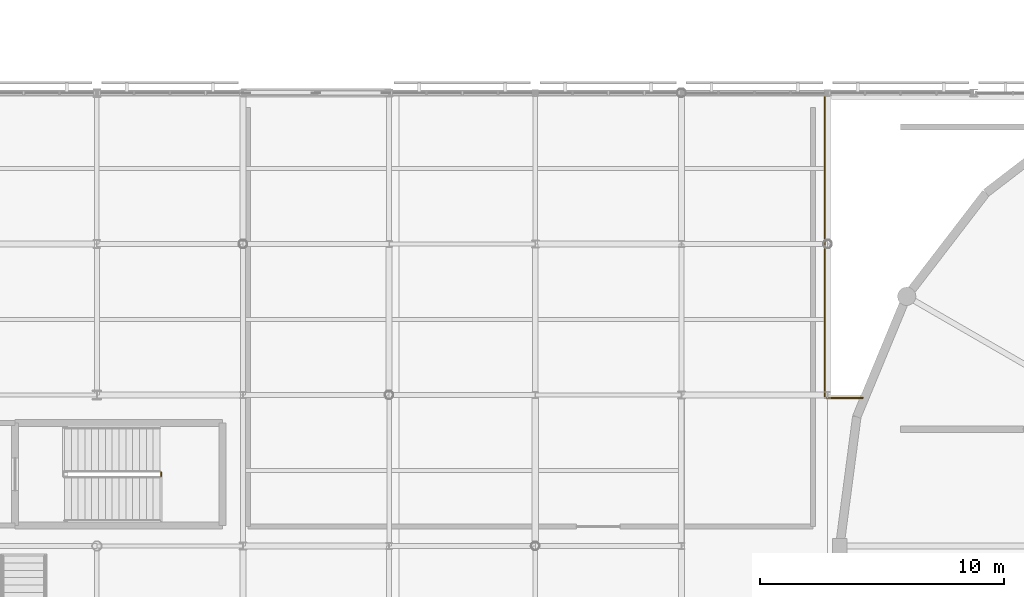
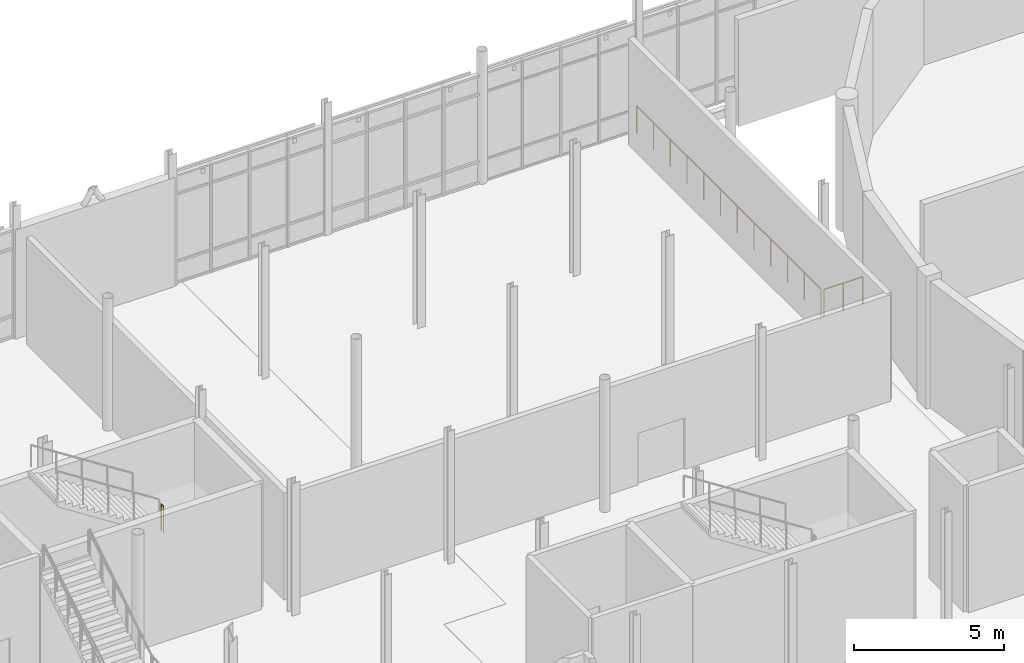
# One storey, part 97 of 105: 3 railings.
"""IFC4 building model written with IfcOpenShell, lengths in metres."""

from ifc_helpers import new_model, si_unit, direction, frame, origin, origin_2d, place, context, subcontext, project, spatial, circle, extrude, material, type_object, element, save


model = new_model("IFC4")

# Units and contexts
model_context = context("Model", 3, precision=1e-05, world=origin(), true_north=direction((0.0, 1.0)))
body_context = subcontext(model_context, "Body", "Model", "MODEL_VIEW")
ifc_project = project(units=[si_unit("LENGTHUNIT", "METRE"), si_unit("AREAUNIT", "SQUARE_METRE"), si_unit("VOLUMEUNIT", "CUBIC_METRE"), si_unit("PLANEANGLEUNIT", "RADIAN"), si_unit("MASSUNIT", "GRAM", prefix="KILO")], contexts=[model_context])

# Site, building, storey
site_placement = place(None, origin())
site = spatial("IfcSite", under=ifc_project, at=site_placement, CompositionType="ELEMENT")
building_placement = place(site_placement, origin())
building = spatial("IfcBuilding", under=site, at=building_placement, Name="Mirzam Square Science Centre", CompositionType="ELEMENT")
storey_placement = place(building_placement, frame((0.0, 0.0, 5.39990234375)))
storey = spatial("IfcBuildingStorey", under=building, at=storey_placement, Name="L01", CompositionType="ELEMENT", Elevation=5.39990234375)

# Railings
ifc_material = material(Name="Bronze-Anodised Architectural Balustrade", Category="aluminium")
railing_type_1 = type_object("IfcRailingType", Name="RL-INT-GUARD-1100", PredefinedType="GUARDRAIL", material=ifc_material)
railing_1_placement = place(storey_placement, frame((32.639892578125, 64.8701171875, 2.7001953125)))
element("IfcRailing", 1, at=railing_1_placement, inside=storey, type_object=railing_type_1, Name="L01 ST-02 stair guard 2", PredefinedType="GUARDRAIL", context=body_context, shape_type="SweptSolid", body=[
    extrude(circle(Radius=0.02392578125, at=origin_2d()), frame((0.0, 0.0, 1.076171875), z_axis=(0.0, 1.0, 0.0), x_axis=(-1.0, 0.0, 0.0)), (0.0, 0.0, 1.0), 0.14990234375),
    extrude(circle(Radius=0.02099609375, at=origin_2d()), origin(), (0.0, 0.0, 1.0), 1.052001953125),
    extrude(circle(Radius=0.02099609375, at=origin_2d()), frame((0.0, 0.14990234375, 0.0)), (0.0, 0.0, 1.0), 1.052001953125),
])
railing_type_2 = type_object("IfcRailingType", Name="RL-TERR-GUARD-1100", PredefinedType="GUARDRAIL", material=ifc_material)
railing_2_placement = place(storey_placement, frame((59.8798828125, 68.14990234375, 0.0)))
element("IfcRailing", 2, at=railing_2_placement, inside=storey, type_object=railing_type_2, Name="L01 wedge north-east edge guard", PredefinedType="GUARDRAIL", context=body_context, shape_type="SweptSolid", body=[
    extrude(circle(Radius=0.02392578125, at=origin_2d()), frame((0.0, 0.0, 1.09619140625), z_axis=(0.0, 1.0, 0.0), x_axis=(-1.0, 0.0, 0.0)), (0.0, 0.0, 1.0), 12.300048828125),
    extrude(circle(Radius=0.02099609375, at=origin_2d()), origin(), (0.0, 0.0, 1.0), 1.072021484375),
    extrude(circle(Radius=0.02099609375, at=origin_2d()), frame((0.0, 1.1181640625, 0.0)), (0.0, 0.0, 1.0), 1.072021484375),
    extrude(circle(Radius=0.02099609375, at=origin_2d()), frame((0.0, 2.236328125, 0.0)), (0.0, 0.0, 1.0), 1.072021484375),
    extrude(circle(Radius=0.02099609375, at=origin_2d()), frame((0.0, 3.3544921875, 0.0)), (0.0, 0.0, 1.0), 1.072021484375),
    extrude(circle(Radius=0.02099609375, at=origin_2d()), frame((0.0, 4.47265625, 0.0)), (0.0, 0.0, 1.0), 1.072021484375),
    extrude(circle(Radius=0.02099609375, at=origin_2d()), frame((0.0, 5.5908203125, 0.0)), (0.0, 0.0, 1.0), 1.072021484375),
    extrude(circle(Radius=0.02099609375, at=origin_2d()), frame((0.0, 6.709228515625, 0.0)), (0.0, 0.0, 1.0), 1.072021484375),
    extrude(circle(Radius=0.02099609375, at=origin_2d()), frame((0.0, 7.827392578125, 0.0)), (0.0, 0.0, 1.0), 1.072021484375),
    extrude(circle(Radius=0.02099609375, at=origin_2d()), frame((0.0, 8.945556640625, 0.0)), (0.0, 0.0, 1.0), 1.072021484375),
    extrude(circle(Radius=0.02099609375, at=origin_2d()), frame((0.0, 10.063720703125, 0.0)), (0.0, 0.0, 1.0), 1.072021484375),
    extrude(circle(Radius=0.02099609375, at=origin_2d()), frame((0.0, 11.181884765625, 0.0)), (0.0, 0.0, 1.0), 1.072021484375),
    extrude(circle(Radius=0.02099609375, at=origin_2d()), frame((0.0, 12.300048828125, 0.0)), (0.0, 0.0, 1.0), 1.072021484375),
])
railing_3_placement = place(storey_placement, frame((59.949951171875, 68.080078125, 0.0)))
element("IfcRailing", 3, at=railing_3_placement, inside=storey, type_object=railing_type_2, Name="L01 west drum link north edge guard", PredefinedType="GUARDRAIL", context=body_context, shape_type="SweptSolid", body=[
    extrude(circle(Radius=0.02392578125, at=origin_2d()), frame((0.0, 0.0, 1.09619140625), z_axis=(1.0, 0.0, 0.0), x_axis=(0.0, 1.0, 0.0)), (0.0, 0.0, 1.0), 1.5),
    extrude(circle(Radius=0.02099609375, at=origin_2d()), origin(), (0.0, 0.0, 1.0), 1.072021484375),
    extrude(circle(Radius=0.02099609375, at=origin_2d()), frame((0.75, 0.0, 0.0)), (0.0, 0.0, 1.0), 1.072021484375),
    extrude(circle(Radius=0.02099609375, at=origin_2d()), frame((1.5, 0.0, 0.0)), (0.0, 0.0, 1.0), 1.072021484375),
])

save(model, "model.ifc")
